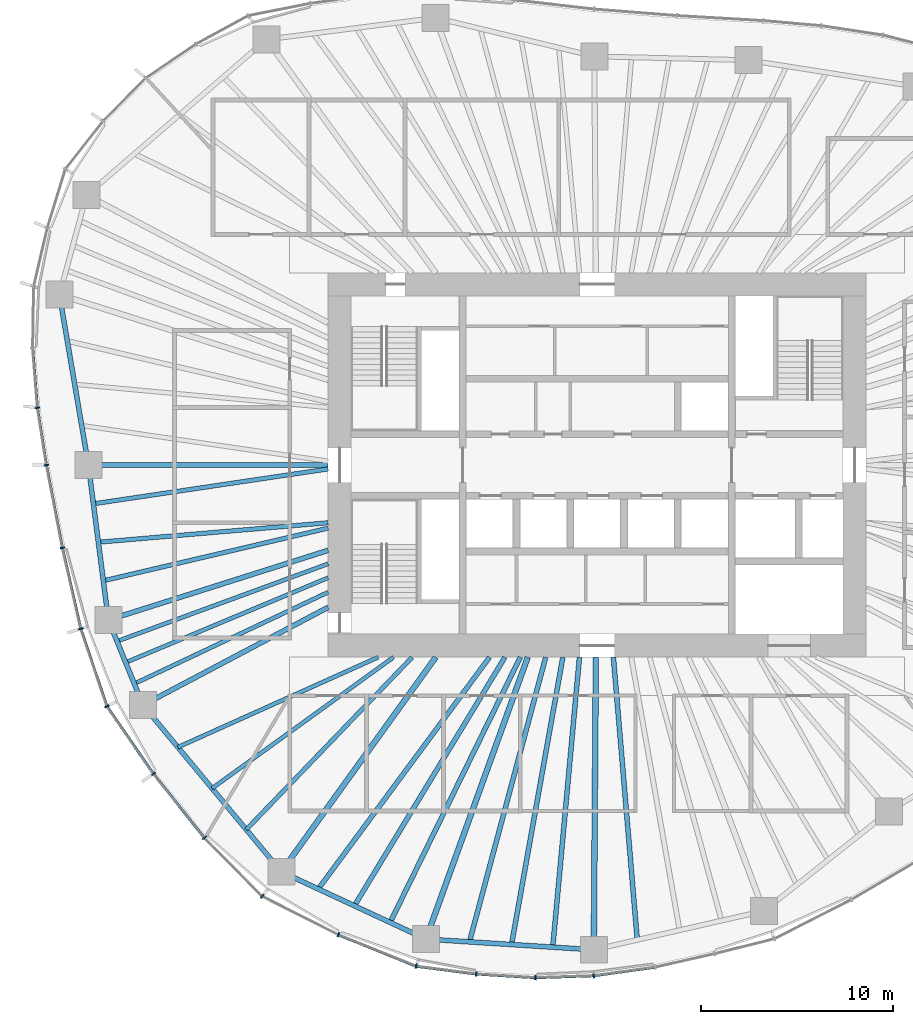
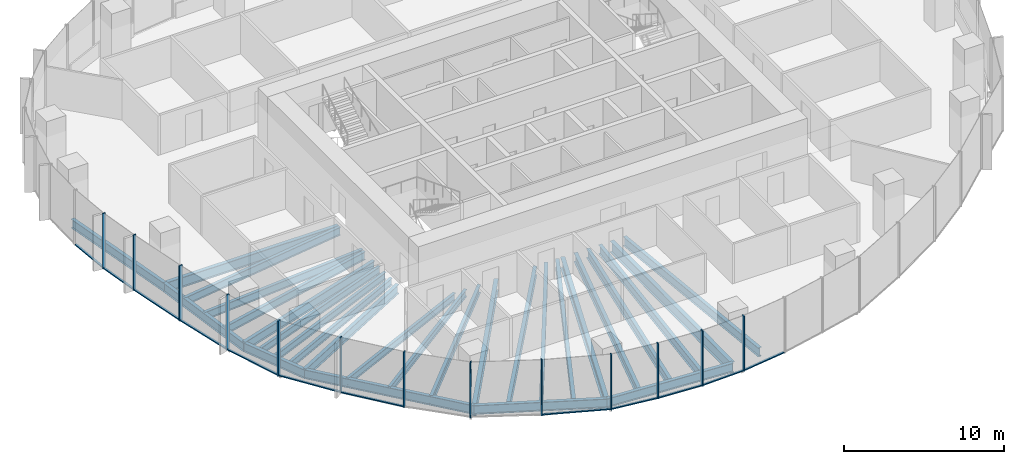
# One storey, part 2 of 18: 28 beams, 25 members, 7 elements without a shape of their own.
"""IFC4 building model written with IfcOpenShell, lengths in metres."""

from ifc_helpers import new_model, si_unit, direction, frame, origin, origin_2d, place, context, subcontext, project, spatial, rectangle, i_section, extrude, material, material_profile, profile_set, type_object, element, aggregate, save


model = new_model("IFC4")

# Units and contexts
model_context = context("Model", 3, precision=1e-05, world=origin(), true_north=direction((0.0, 1.0)))
body_context = subcontext(model_context, "Body", "Model", "MODEL_VIEW")
ifc_project = project(units=[si_unit("LENGTHUNIT", "METRE"), si_unit("AREAUNIT", "SQUARE_METRE"), si_unit("VOLUMEUNIT", "CUBIC_METRE"), si_unit("PLANEANGLEUNIT", "RADIAN"), si_unit("MASSUNIT", "GRAM", prefix="KILO")], contexts=[model_context])

# Site, building, storey
site_placement = place(None, origin())
site = spatial("IfcSite", under=ifc_project, at=site_placement, CompositionType="ELEMENT")
building_placement = place(site_placement, origin())
building = spatial("IfcBuilding", under=site, at=building_placement, Name="Ghaith Harvest Tower", CompositionType="ELEMENT")
storey_placement = place(building_placement, frame((0.0, 0.0, 176.39990234375)))
storey = spatial("IfcBuildingStorey", under=building, at=storey_placement, Name="L38", CompositionType="ELEMENT", Elevation=176.39990234375)

# Curtain wall, member
ifc_material_1 = material(Name="Black anodised aluminium and fritted glass", Category="aluminium")
curtain_wall_type = type_object("IfcCurtainWallType", Name="CW-L CURTAIN WALL", PredefinedType="NOTDEFINED", material=ifc_material_1)
curtain_wall_1_placement = place(storey_placement, origin())
curtain_wall_1 = element("IfcCurtainWall", 1, at=curtain_wall_1_placement, inside=storey, type_object=curtain_wall_type, Name="Curtain wall CW-L bay 10 L38", PredefinedType="NOTDEFINED")
ifc_material_2 = material(Name="Aluminium, black anodised", Category="aluminium")
ifc_material_profile_1 = material_profile(ifc_material_2, rectangle(XDim=0.080078125, YDim=0.239990234375, at=origin_2d()), Name="CW-L MULLION 80x240")
ifc_profile_set_1 = profile_set([ifc_material_profile_1], Name="Aluminium, black anodised")
member_type_1 = type_object("IfcMemberType", Name="CW-L MULLION 80x240", PredefinedType="MULLION", material=ifc_profile_set_1)
member_1_placement = place(storey_placement, frame((-29.131103515625, 2.990478515625, 0.0), z_axis=(0.0, 0.0, 1.0), x_axis=(0.116763791346, -0.993159713757, 0.0)))
member_1 = element("IfcMember", 2, at=member_1_placement, type_object=member_type_1, Name="CW-L mullion 3 bay 10 L38", PredefinedType="MULLION", context=body_context, shape_type="SweptSolid", body=[
    extrude(rectangle(XDim=0.080078125, YDim=0.239990234375, at=origin_2d()), origin(), (0.0, 0.0, 1.0), 4.2001953125),
])

# Curtain wall, members
curtain_wall_2_placement = place(storey_placement, origin())
curtain_wall_2 = element("IfcCurtainWall", 3, at=curtain_wall_2_placement, inside=storey, type_object=curtain_wall_type, Name="Curtain wall CW-L bay 11 L38", PredefinedType="NOTDEFINED")
member_2_placement = place(storey_placement, frame((-28.6611328125, 0.0, 0.0), z_axis=(0.0, 0.0, 1.0), x_axis=(0.175827209372, -0.984421044292, 0.0)))
member_2 = element("IfcMember", 4, at=member_2_placement, type_object=member_type_1, Name="CW-L mullion 1 bay 11 L38", PredefinedType="MULLION", context=body_context, shape_type="SweptSolid", body=[
    extrude(rectangle(XDim=0.080078125, YDim=0.239990234375, at=origin_2d()), origin(), (0.0, 0.0, 1.0), 4.2001953125),
])
member_3_placement = place(storey_placement, frame((-27.828125, -4.30419921875, 0.0), z_axis=(0.0, 0.0, 1.0), x_axis=(0.205176300018, -0.978725030798, 0.0)))
member_3 = element("IfcMember", 5, at=member_3_placement, type_object=member_type_1, Name="CW-L mullion 2 bay 11 L38", PredefinedType="MULLION", context=body_context, shape_type="SweptSolid", body=[
    extrude(rectangle(XDim=0.080078125, YDim=0.239990234375, at=origin_2d()), origin(), (0.0, 0.0, 1.0), 4.2001953125),
])

curtain_wall_3_placement = place(storey_placement, origin())
curtain_wall_3 = element("IfcCurtainWall", 6, at=curtain_wall_3_placement, inside=storey, type_object=curtain_wall_type, Name="Curtain wall CW-L bay 12 L38", PredefinedType="NOTDEFINED")
member_4_placement = place(storey_placement, frame((-26.875732421875, -8.517333984375, 0.0), z_axis=(0.0, 0.0, 1.0), x_axis=(0.270018818005, -0.962855045125, 0.0)))
member_4 = element("IfcMember", 7, at=member_4_placement, type_object=member_type_1, Name="CW-L mullion 1 bay 12 L38", PredefinedType="MULLION", context=body_context, shape_type="SweptSolid", body=[
    extrude(rectangle(XDim=0.080078125, YDim=0.239990234375, at=origin_2d()), origin(), (0.0, 0.0, 1.0), 4.2001953125),
])
member_5_placement = place(storey_placement, frame((-25.513427734375, -12.55810546875, 0.0), z_axis=(0.0, 0.0, 1.0), x_axis=(0.448267068681, -0.893899678452, 0.0)))
member_5 = element("IfcMember", 8, at=member_5_placement, type_object=member_type_1, Name="CW-L mullion 2 bay 12 L38", PredefinedType="MULLION", context=body_context, shape_type="SweptSolid", body=[
    extrude(rectangle(XDim=0.080078125, YDim=0.239990234375, at=origin_2d()), origin(), (0.0, 0.0, 1.0), 4.2001953125),
])

curtain_wall_4_placement = place(storey_placement, origin())
curtain_wall_4 = element("IfcCurtainWall", 9, at=curtain_wall_4_placement, inside=storey, type_object=curtain_wall_type, Name="Curtain wall CW-L bay 13 L38", PredefinedType="NOTDEFINED")
member_6_placement = place(storey_placement, frame((-23.090087890625, -16.066162109375, 0.0), z_axis=(0.0, 0.0, 1.0), x_axis=(0.595740202191, -0.803177198066, 0.0)))
member_6 = element("IfcMember", 10, at=member_6_placement, type_object=member_type_1, Name="CW-L mullion 1 bay 13 L38", PredefinedType="MULLION", context=body_context, shape_type="SweptSolid", body=[
    extrude(rectangle(XDim=0.080078125, YDim=0.239990234375, at=origin_2d()), origin(), (0.0, 0.0, 1.0), 4.2001953125),
])
member_7_placement = place(storey_placement, frame((-20.441162109375, -19.396728515625, 0.0), z_axis=(0.0, 0.0, 1.0), x_axis=(0.663764675537, -0.747941478666, 0.0)))
member_7 = element("IfcMember", 11, at=member_7_placement, type_object=member_type_1, Name="CW-L mullion 2 bay 13 L38", PredefinedType="MULLION", context=body_context, shape_type="SweptSolid", body=[
    extrude(rectangle(XDim=0.080078125, YDim=0.239990234375, at=origin_2d()), origin(), (0.0, 0.0, 1.0), 4.2001953125),
])

curtain_wall_5_placement = place(storey_placement, origin())
curtain_wall_5 = element("IfcCurtainWall", 12, at=curtain_wall_5_placement, inside=storey, type_object=curtain_wall_type, Name="Curtain wall CW-L bay 14 L38", PredefinedType="NOTDEFINED")
member_8_placement = place(storey_placement, frame((-17.430419921875, -22.443603515625, 0.0), z_axis=(0.0, 0.0, 1.0), x_axis=(0.810339399222, -0.585960799089, 0.0)))
member_8 = element("IfcMember", 13, at=member_8_placement, type_object=member_type_1, Name="CW-L mullion 1 bay 14 L38", PredefinedType="MULLION", context=body_context, shape_type="SweptSolid", body=[
    extrude(rectangle(XDim=0.080078125, YDim=0.239990234375, at=origin_2d()), origin(), (0.0, 0.0, 1.0), 4.2001953125),
])
member_9_placement = place(storey_placement, frame((-13.463134765625, -24.4423828125, 0.0), z_axis=(0.0, 0.0, 1.0), x_axis=(0.910648017946, -0.413182995066, 0.0)))
member_9 = element("IfcMember", 14, at=member_9_placement, type_object=member_type_1, Name="CW-L mullion 2 bay 14 L38", PredefinedType="MULLION", context=body_context, shape_type="SweptSolid", body=[
    extrude(rectangle(XDim=0.080078125, YDim=0.239990234375, at=origin_2d()), origin(), (0.0, 0.0, 1.0), 4.2001953125),
])

curtain_wall_6_placement = place(storey_placement, origin())
curtain_wall_6 = element("IfcCurtainWall", 15, at=curtain_wall_6_placement, inside=storey, type_object=curtain_wall_type, Name="Curtain wall CW-L bay 15 L38", PredefinedType="NOTDEFINED")
member_10_placement = place(storey_placement, frame((-9.4189453125, -26.07861328125, 0.0), z_axis=(0.0, 0.0, 1.0), x_axis=(0.961788606004, -0.273793128768, 0.0)))
member_10 = element("IfcMember", 16, at=member_10_placement, type_object=member_type_1, Name="CW-L mullion 1 bay 15 L38", PredefinedType="MULLION", context=body_context, shape_type="SweptSolid", body=[
    extrude(rectangle(XDim=0.080078125, YDim=0.239990234375, at=origin_2d()), origin(), (0.0, 0.0, 1.0), 4.2001953125),
])
member_11_placement = place(storey_placement, frame((-6.29443359375, -26.483154296875, 0.0), z_axis=(0.0, 0.0, 1.0), x_axis=(0.995389243171, -0.095917957546, 0.0)))
member_11 = element("IfcMember", 17, at=member_11_placement, type_object=member_type_1, Name="CW-L mullion 2 bay 15 L38", PredefinedType="MULLION", context=body_context, shape_type="SweptSolid", body=[
    extrude(rectangle(XDim=0.080078125, YDim=0.239990234375, at=origin_2d()), origin(), (0.0, 0.0, 1.0), 4.2001953125),
])
member_12_placement = place(storey_placement, frame((-3.21923828125, -26.676025390625, 0.0), z_axis=(0.0, 0.0, 1.0), x_axis=(0.999890531495, -0.014796115241, 0.0)))
member_12 = element("IfcMember", 18, at=member_12_placement, type_object=member_type_1, Name="CW-L mullion 3 bay 15 L38", PredefinedType="MULLION", context=body_context, shape_type="SweptSolid", body=[
    extrude(rectangle(XDim=0.080078125, YDim=0.239990234375, at=origin_2d()), origin(), (0.0, 0.0, 1.0), 4.2001953125),
])

# Curtain wall, member
curtain_wall_7_placement = place(storey_placement, origin())
curtain_wall_7 = element("IfcCurtainWall", 19, at=curtain_wall_7_placement, inside=storey, type_object=curtain_wall_type, Name="Curtain wall CW-L bay 16 L38", PredefinedType="NOTDEFINED")
member_13_placement = place(storey_placement, frame((-0.181884765625, -26.57373046875, 0.0), z_axis=(0.0, 0.0, 1.0), x_axis=(0.996169227662, 0.087446382772, 0.0)))
member_13 = element("IfcMember", 20, at=member_13_placement, type_object=member_type_1, Name="CW-L mullion 1 bay 16 L38", PredefinedType="MULLION", context=body_context, shape_type="SweptSolid", body=[
    extrude(rectangle(XDim=0.080078125, YDim=0.239990234375, at=origin_2d()), origin(), (0.0, 0.0, 1.0), 4.2001953125),
])

# Member
ifc_material_3 = material(Name="Aluminium, black anodised", Category="aluminium")
ifc_material_profile_2 = material_profile(ifc_material_3, rectangle(XDim=0.14990234375, YDim=0.080078125, at=origin_2d()), Name="CW-L TRANSOM 150x80")
ifc_profile_set_2 = profile_set([ifc_material_profile_2], Name="Aluminium, black anodised")
member_type_2 = type_object("IfcMemberType", Name="CW-L TRANSOM 150x80", PredefinedType="USERDEFINED", material=ifc_profile_set_2)
member_14_placement = place(storey_placement, frame((-29.374755859375, 6.05615234375, 0.0400390625), z_axis=(0.079230491279, -0.996856323274, 0.0), x_axis=(0.996856323274, 0.079230491279, 0.0)))
member_14 = element("IfcMember", 21, at=member_14_placement, type_object=member_type_2, Name="CW-L transom 2 bay 10 L38", ObjectType="TRANSOM", PredefinedType="USERDEFINED", context=body_context, shape_type="SweptSolid", body=[
    extrude(rectangle(XDim=0.14990234375, YDim=0.080078125, at=origin_2d()), origin(), (0.0, 0.0, 1.0), 3.03515625),
])

member_15_placement = place(storey_placement, frame((-29.124755859375, 2.951171875, 0.0400390625), z_axis=(0.155150065502, -0.987890913601, 0.0), x_axis=(0.987890913601, 0.155150065502, 0.0)))
member_15 = element("IfcMember", 22, at=member_15_placement, type_object=member_type_2, Name="CW-L transom 3 bay 10 L38", ObjectType="TRANSOM", PredefinedType="USERDEFINED", context=body_context, shape_type="SweptSolid", body=[
    extrude(rectangle(XDim=0.14990234375, YDim=0.080078125, at=origin_2d()), origin(), (0.0, 0.0, 1.0), 2.947265625),
])

aggregate(curtain_wall_1, [member_14, member_1, member_15])

member_16_placement = place(storey_placement, frame((-28.653564453125, -0.039306640625, 0.0400390625), z_axis=(0.190025434036, -0.981779167848, 0.0), x_axis=(0.981779167848, 0.190025434036, 0.0)))
member_16 = element("IfcMember", 23, at=member_16_placement, type_object=member_type_2, Name="CW-L transom 1 bay 11 L38", ObjectType="TRANSOM", PredefinedType="USERDEFINED", context=body_context, shape_type="SweptSolid", body=[
    extrude(rectangle(XDim=0.14990234375, YDim=0.080078125, at=origin_2d()), origin(), (0.0, 0.0, 1.0), 4.303955078125),
])

member_17_placement = place(storey_placement, frame((-27.8193359375, -4.34326171875, 0.0400390625), z_axis=(0.220508326041, -0.975385092231, 0.0), x_axis=(0.975385092231, 0.220508326041, 0.0)))
member_17 = element("IfcMember", 24, at=member_17_placement, type_object=member_type_2, Name="CW-L transom 2 bay 11 L38", ObjectType="TRANSOM", PredefinedType="USERDEFINED", context=body_context, shape_type="SweptSolid", body=[
    extrude(rectangle(XDim=0.14990234375, YDim=0.080078125, at=origin_2d()), origin(), (0.0, 0.0, 1.0), 4.2392578125),
])

aggregate(curtain_wall_2, [member_2, member_16, member_3, member_17])

member_18_placement = place(storey_placement, frame((-26.863037109375, -8.55517578125, 0.0400390625), z_axis=(0.319499057133, -0.947586593664, 0.0), x_axis=(0.947586593664, 0.319499057133, 0.0)))
member_18 = element("IfcMember", 25, at=member_18_placement, type_object=member_type_2, Name="CW-L transom 1 bay 12 L38", ObjectType="TRANSOM", PredefinedType="USERDEFINED", context=body_context, shape_type="SweptSolid", body=[
    extrude(rectangle(XDim=0.14990234375, YDim=0.080078125, at=origin_2d()), origin(), (0.0, 0.0, 1.0), 4.184326171875),
])

member_19_placement = place(storey_placement, frame((-25.49072265625, -12.591064453125, 0.0400390625), z_axis=(0.568360052499, -0.822779952796, 0.0), x_axis=(0.822779952796, 0.568360052499, 0.0)))
member_19 = element("IfcMember", 26, at=member_19_placement, type_object=member_type_2, Name="CW-L transom 2 bay 12 L38", ObjectType="TRANSOM", PredefinedType="USERDEFINED", context=body_context, shape_type="SweptSolid", body=[
    extrude(rectangle(XDim=0.14990234375, YDim=0.080078125, at=origin_2d()), origin(), (0.0, 0.0, 1.0), 4.183837890625),
])

aggregate(curtain_wall_3, [member_4, member_18, member_5, member_19])

member_20_placement = place(storey_placement, frame((-23.065185546875, -16.09765625, 0.0400390625), z_axis=(0.622510542814, -0.782611413209, 0.0), x_axis=(0.782611413209, 0.622510542814, 0.0)))
member_20 = element("IfcMember", 27, at=member_20_placement, type_object=member_type_2, Name="CW-L transom 1 bay 13 L38", ObjectType="TRANSOM", PredefinedType="USERDEFINED", context=body_context, shape_type="SweptSolid", body=[
    extrude(rectangle(XDim=0.14990234375, YDim=0.080078125, at=origin_2d()), origin(), (0.0, 0.0, 1.0), 4.17529296875),
])

aggregate(curtain_wall_4, [member_6, member_20, member_7])

member_21_placement = place(storey_placement, frame((-13.426025390625, -24.45751953125, 0.0400390625), z_axis=(0.92700297754, -0.375053968959, 0.0), x_axis=(0.375053968959, 0.92700297754, 0.0)))
member_21 = element("IfcMember", 28, at=member_21_placement, type_object=member_type_2, Name="CW-L transom 2 bay 14 L38", ObjectType="TRANSOM", PredefinedType="USERDEFINED", context=body_context, shape_type="SweptSolid", body=[
    extrude(rectangle(XDim=0.14990234375, YDim=0.080078125, at=origin_2d()), origin(), (0.0, 0.0, 1.0), 4.282470703125),
])

aggregate(curtain_wall_5, [member_8, member_9, member_21])

member_22_placement = place(storey_placement, frame((-9.37939453125, -26.083740234375, 0.0400390625), z_axis=(0.991722765635, -0.128397648429, 0.0), x_axis=(0.128397648429, 0.991722765635, 0.0)))
member_22 = element("IfcMember", 29, at=member_22_placement, type_object=member_type_2, Name="CW-L transom 1 bay 15 L38", ObjectType="TRANSOM", PredefinedType="USERDEFINED", context=body_context, shape_type="SweptSolid", body=[
    extrude(rectangle(XDim=0.14990234375, YDim=0.080078125, at=origin_2d()), origin(), (0.0, 0.0, 1.0), 3.07080078125),
])

member_23_placement = place(storey_placement, frame((-6.25439453125, -26.485595703125, 0.0400390625), z_axis=(0.998036402434, -0.062636566132, 0.0), x_axis=(0.062636566132, 0.998036402434, 0.0)))
member_23 = element("IfcMember", 30, at=member_23_placement, type_object=member_type_2, Name="CW-L transom 2 bay 15 L38", ObjectType="TRANSOM", PredefinedType="USERDEFINED", context=body_context, shape_type="SweptSolid", body=[
    extrude(rectangle(XDim=0.14990234375, YDim=0.080078125, at=origin_2d()), origin(), (0.0, 0.0, 1.0), 3.001220703125),
])

member_24_placement = place(storey_placement, frame((-3.17919921875, -26.6748046875, 0.0400390625), z_axis=(0.999430436664, 0.033746144522, 0.0), x_axis=(-0.033746144522, 0.999430436664, 0.0)))
member_24 = element("IfcMember", 31, at=member_24_placement, type_object=member_type_2, Name="CW-L transom 3 bay 15 L38", ObjectType="TRANSOM", PredefinedType="USERDEFINED", context=body_context, shape_type="SweptSolid", body=[
    extrude(rectangle(XDim=0.14990234375, YDim=0.080078125, at=origin_2d()), origin(), (0.0, 0.0, 1.0), 2.958984375),
])

aggregate(curtain_wall_6, [member_10, member_22, member_11, member_23, member_12, member_24])

member_25_placement = place(storey_placement, frame((-0.142333984375, -26.568115234375, 0.0400390625), z_axis=(0.990446640965, 0.137896524254, 0.0), x_axis=(-0.137896524254, 0.990446640965, 0.0)))
member_25 = element("IfcMember", 32, at=member_25_placement, type_object=member_type_2, Name="CW-L transom 1 bay 16 L38", ObjectType="TRANSOM", PredefinedType="USERDEFINED", context=body_context, shape_type="SweptSolid", body=[
    extrude(rectangle(XDim=0.14990234375, YDim=0.080078125, at=origin_2d()), origin(), (0.0, 0.0, 1.0), 3.142578125),
])

aggregate(curtain_wall_7, [member_13, member_25])

# Beams
ifc_material_4 = material(Name="Steel ASTM A992 Grade 50", Category="steel")
ifc_material_profile_3 = material_profile(ifc_material_4, i_section(OverallWidth=0.25390625, OverallDepth=0.68408203125, WebThickness=0.012451171875, FlangeThickness=0.018798828125, at=origin_2d()), Name="W690X140")
ifc_profile_set_3 = profile_set([ifc_material_profile_3], Name="Steel ASTM A992 Grade 50")
beam_type_1 = type_object("IfcBeamType", Name="E690-140 W690X140", PredefinedType="SPANDREL", material=ifc_profile_set_3)
beam_1_placement = place(storey_placement, frame((-27.98291015625, 8.867919921875, -0.511962890625), z_axis=(0.167624246844, -0.985850958244, 0.0), x_axis=(0.985850958244, 0.167624246844, 0.0)))
element("IfcBeam", 33, at=beam_1_placement, inside=storey, type_object=beam_type_1, Name="Edge beam E10 L38", PredefinedType="SPANDREL", context=body_context, shape_type="SweptSolid", body=[
    extrude(i_section(OverallWidth=0.25390625, OverallDepth=0.68408203125, WebThickness=0.012451171875, FlangeThickness=0.018798828125, at=origin_2d()), origin(), (0.0, 0.0, 1.0), 8.9951171875),
])
beam_2_placement = place(storey_placement, frame((-26.47509765625, 0.0, -0.511962890625), z_axis=(0.127841715048, -0.991794583517, 0.0), x_axis=(0.991794583517, 0.127841715048, 0.0)))
element("IfcBeam", 34, at=beam_2_placement, inside=storey, type_object=beam_type_1, Name="Edge beam E11 L38", PredefinedType="SPANDREL", context=body_context, shape_type="SweptSolid", body=[
    extrude(i_section(OverallWidth=0.25390625, OverallDepth=0.68408203125, WebThickness=0.012451171875, FlangeThickness=0.018798828125, at=origin_2d()), origin(), (0.0, 0.0, 1.0), 8.127685546875),
])
beam_3_placement = place(storey_placement, frame((-25.43603515625, -8.06103515625, -0.511962890625), z_axis=(0.376479712052, -0.9264248628, 0.0), x_axis=(0.9264248628, 0.376479712052, 0.0)))
element("IfcBeam", 35, at=beam_3_placement, inside=storey, type_object=beam_type_1, Name="Edge beam E12 L38", PredefinedType="SPANDREL", context=body_context, shape_type="SweptSolid", body=[
    extrude(i_section(OverallWidth=0.25390625, OverallDepth=0.68408203125, WebThickness=0.012451171875, FlangeThickness=0.018798828125, at=origin_2d()), origin(), (0.0, 0.0, 1.0), 4.783935546875),
])
beam_4_placement = place(storey_placement, frame((-23.635009765625, -12.492919921875, -0.511962890625), z_axis=(0.638719320052, -0.769439815835, 0.0), x_axis=(0.769439815835, 0.638719320052, 0.0)))
element("IfcBeam", 36, at=beam_4_placement, inside=storey, type_object=beam_type_1, Name="Edge beam E13 L38", PredefinedType="SPANDREL", context=body_context, shape_type="SweptSolid", body=[
    extrude(i_section(OverallWidth=0.25390625, OverallDepth=0.68408203125, WebThickness=0.012451171875, FlangeThickness=0.018798828125, at=origin_2d()), origin(), (0.0, 0.0, 1.0), 11.26953125),
])
beam_5_placement = place(storey_placement, frame((-16.43701171875, -21.1640625, -0.511962890625), z_axis=(0.906607079462, -0.421975832802, 0.0), x_axis=(0.421975832802, 0.906607079462, 0.0)))
element("IfcBeam", 37, at=beam_5_placement, inside=storey, type_object=beam_type_1, Name="Edge beam E14 L38", PredefinedType="SPANDREL", context=body_context, shape_type="SweptSolid", body=[
    extrude(i_section(OverallWidth=0.25390625, OverallDepth=0.68408203125, WebThickness=0.012451171875, FlangeThickness=0.018798828125, at=origin_2d()), origin(), (0.0, 0.0, 1.0), 8.303466796875),
])
beam_6_placement = place(storey_placement, frame((-8.908935546875, -24.66796875, -0.511962890625), z_axis=(0.99797963184, -0.063534671101, 0.0), x_axis=(0.063534671101, 0.99797963184, 0.0)))
element("IfcBeam", 38, at=beam_6_placement, inside=storey, type_object=beam_type_1, Name="Edge beam E15 L38", PredefinedType="SPANDREL", context=body_context, shape_type="SweptSolid", body=[
    extrude(i_section(OverallWidth=0.25390625, OverallDepth=0.68408203125, WebThickness=0.012451171875, FlangeThickness=0.018798828125, at=origin_2d()), origin(), (0.0, 0.0, 1.0), 8.75341796875),
])
ifc_material_5 = material(Name="Steel ASTM A992 Grade 50", Category="steel")
ifc_material_profile_4 = material_profile(ifc_material_5, i_section(OverallWidth=0.256103515625, OverallDepth=0.693115234375, WebThickness=0.014404296875, FlangeThickness=0.023681640625, at=origin_2d()), Name="W690X170")
ifc_profile_set_4 = profile_set([ifc_material_profile_4], Name="Steel ASTM A992 Grade 50")
beam_type_2 = type_object("IfcBeamType", Name="G690-170 W690X170", PredefinedType="BEAM", material=ifc_profile_set_4)
beam_7_placement = place(storey_placement, frame((-14.0, -4.43701171875, -0.516357421875), z_axis=(-0.953279533519, -0.302089607522, 0.0), x_axis=(0.302089607522, -0.953279533519, 0.0)))
element("IfcBeam", 39, at=beam_7_placement, inside=storey, type_object=beam_type_2, Name="Radial girder G12 L38", PredefinedType="BEAM", context=body_context, shape_type="SweptSolid", body=[
    extrude(i_section(OverallWidth=0.256103515625, OverallDepth=0.693115234375, WebThickness=0.014404296875, FlangeThickness=0.023681640625, at=origin_2d()), origin(), (0.0, 0.0, 1.0), 11.99658203125),
])
beam_8_placement = place(storey_placement, frame((-14.0, -7.39990234375, -0.516357421875), z_axis=(-0.884086346066, -0.467323584576, 0.0), x_axis=(0.467323584576, -0.884086346066, 0.0)))
element("IfcBeam", 40, at=beam_8_placement, inside=storey, type_object=beam_type_2, Name="Radial girder G13 L38", PredefinedType="BEAM", context=body_context, shape_type="SweptSolid", body=[
    extrude(i_section(OverallWidth=0.256103515625, OverallDepth=0.693115234375, WebThickness=0.014404296875, FlangeThickness=0.023681640625, at=origin_2d()), origin(), (0.0, 0.0, 1.0), 10.898193359375),
])
ifc_material_6 = material(Name="Steel ASTM A992 Grade 50", Category="steel")
ifc_material_profile_5 = material_profile(ifc_material_6, i_section(OverallWidth=0.26806640625, OverallDepth=0.77001953125, WebThickness=0.015625, FlangeThickness=0.025390625, at=origin_2d()), Name="W760X196")
ifc_profile_set_5 = profile_set([ifc_material_profile_5], Name="Steel ASTM A992 Grade 50")
beam_type_3 = type_object("IfcBeamType", Name="G760-196 W760X196", PredefinedType="BEAM", material=ifc_profile_set_5)
beam_9_placement = place(storey_placement, frame((-14.0, 0.0, -0.554931640625), z_axis=(-1.0, 0.0, 0.0), x_axis=(0.0, -1.0, 0.0)))
element("IfcBeam", 41, at=beam_9_placement, inside=storey, type_object=beam_type_3, Name="Radial girder G11 L38", PredefinedType="BEAM", context=body_context, shape_type="SweptSolid", body=[
    extrude(i_section(OverallWidth=0.26806640625, OverallDepth=0.77001953125, WebThickness=0.015625, FlangeThickness=0.025390625, at=origin_2d()), origin(), (0.0, 0.0, 1.0), 12.47509765625),
])
ifc_material_7 = material(Name="Steel ASTM A992 Grade 50", Category="steel")
ifc_material_profile_6 = material_profile(ifc_material_7, i_section(OverallWidth=0.2939453125, OverallDepth=0.85107421875, WebThickness=0.01611328125, FlangeThickness=0.02685546875, at=origin_2d()), Name="W840X226")
ifc_profile_set_6 = profile_set([ifc_material_profile_6], Name="Steel ASTM A992 Grade 50")
beam_type_4 = type_object("IfcBeamType", Name="G840-226 W840X226", PredefinedType="BEAM", material=ifc_profile_set_6)
beam_10_placement = place(storey_placement, frame((-8.39990234375, -10.0, -0.595458984375), z_axis=(-0.584256100809, -0.811569349265, 0.0), x_axis=(0.811569349265, -0.584256100809, 0.0)))
element("IfcBeam", 42, at=beam_10_placement, inside=storey, type_object=beam_type_4, Name="Radial girder G14 L38", PredefinedType="BEAM", context=body_context, shape_type="SweptSolid", body=[
    extrude(i_section(OverallWidth=0.2939453125, OverallDepth=0.85107421875, WebThickness=0.01611328125, FlangeThickness=0.02685546875, at=origin_2d()), origin(), (0.0, 0.0, 1.0), 13.756103515625),
])
beam_11_placement = place(storey_placement, frame((-3.61181640625, -10.0, -0.595458984375), z_axis=(-0.339664467784, -0.940546675782, 0.0), x_axis=(0.940546675782, -0.339664467784, 0.0)))
element("IfcBeam", 43, at=beam_11_placement, inside=storey, type_object=beam_type_4, Name="Radial girder G15 L38", PredefinedType="BEAM", context=body_context, shape_type="SweptSolid", body=[
    extrude(i_section(OverallWidth=0.2939453125, OverallDepth=0.85107421875, WebThickness=0.01611328125, FlangeThickness=0.02685546875, at=origin_2d()), origin(), (0.0, 0.0, 1.0), 15.59521484375),
])
beam_12_placement = place(storey_placement, frame((-0.068359375, -10.0, -0.595458984375), z_axis=(-0.006879467722, -0.999976336182, 0.0), x_axis=(0.999976336182, -0.006879467722, 0.0)))
element("IfcBeam", 44, at=beam_12_placement, inside=storey, type_object=beam_type_4, Name="Radial girder G16 L38", PredefinedType="BEAM", context=body_context, shape_type="SweptSolid", body=[
    extrude(i_section(OverallWidth=0.2939453125, OverallDepth=0.85107421875, WebThickness=0.01611328125, FlangeThickness=0.02685546875, at=origin_2d()), origin(), (0.0, 0.0, 1.0), 15.224365234375),
])
ifc_material_8 = material(Name="Steel ASTM A992 Grade 50", Category="steel")
ifc_material_profile_7 = material_profile(ifc_material_8, i_section(OverallWidth=0.2109375, OverallDepth=0.5390625, WebThickness=0.01171875, FlangeThickness=0.018798828125, at=origin_2d()), Name="W530X109")
ifc_profile_set_7 = profile_set([ifc_material_profile_7], Name="Steel ASTM A992 Grade 50")
beam_type_5 = type_object("IfcBeamType", Name="J530-109 W530X109", PredefinedType="JOIST", material=ifc_profile_set_7)
beam_13_placement = place(storey_placement, frame((-14.0, -5.137939453125, -0.439453125), z_axis=(-0.938774452531, -0.344532331247, 0.0), x_axis=(0.344532331247, -0.938774452531, 0.0)))
element("IfcBeam", 45, at=beam_13_placement, inside=storey, type_object=beam_type_5, Name="Joist J12.1 L38", PredefinedType="JOIST", context=body_context, shape_type="SweptSolid", body=[
    extrude(i_section(OverallWidth=0.2109375, OverallDepth=0.5390625, WebThickness=0.01171875, FlangeThickness=0.018798828125, at=origin_2d()), origin(), (0.0, 0.0, 1.0), 11.7021484375),
])
beam_14_placement = place(storey_placement, frame((-14.0, -5.862548828125, -0.439453125), z_axis=(-0.922385564947, -0.386270461693, 0.0), x_axis=(0.386270461693, -0.922385564947, 0.0)))
element("IfcBeam", 46, at=beam_14_placement, inside=storey, type_object=beam_type_5, Name="Joist J12.2 L38", PredefinedType="JOIST", context=body_context, shape_type="SweptSolid", body=[
    extrude(i_section(OverallWidth=0.2109375, OverallDepth=0.5390625, WebThickness=0.01171875, FlangeThickness=0.018798828125, at=origin_2d()), origin(), (0.0, 0.0, 1.0), 11.4228515625),
])
beam_15_placement = place(storey_placement, frame((-14.0, -6.614990234375, -0.439453125), z_axis=(-0.904150042111, -0.427215052815, 0.0), x_axis=(0.427215052815, -0.904150042111, 0.0)))
element("IfcBeam", 47, at=beam_15_placement, inside=storey, type_object=beam_type_5, Name="Joist J12.3 L38", PredefinedType="JOIST", context=body_context, shape_type="SweptSolid", body=[
    extrude(i_section(OverallWidth=0.2109375, OverallDepth=0.5390625, WebThickness=0.01171875, FlangeThickness=0.018798828125, at=origin_2d()), origin(), (0.0, 0.0, 1.0), 11.15625),
])
beam_16_placement = place(storey_placement, frame((-11.39990234375, -10.0, -0.439453125), z_axis=(-0.912147734774, -0.409861574127, 0.0), x_axis=(0.409861574127, -0.912147734774, 0.0)))
element("IfcBeam", 48, at=beam_16_placement, inside=storey, type_object=beam_type_5, Name="Joist J13.1 L38", PredefinedType="JOIST", context=body_context, shape_type="SweptSolid", body=[
    extrude(i_section(OverallWidth=0.2109375, OverallDepth=0.5390625, WebThickness=0.01171875, FlangeThickness=0.018798828125, at=origin_2d()), origin(), (0.0, 0.0, 1.0), 11.421875),
])
beam_17_placement = place(storey_placement, frame((-10.60009765625, -10.0, -0.439453125), z_axis=(-0.810452010932, -0.5858050341, 0.0), x_axis=(0.5858050341, -0.810452010932, 0.0)))
element("IfcBeam", 49, at=beam_17_placement, inside=storey, type_object=beam_type_5, Name="Joist J13.2 L38", PredefinedType="JOIST", context=body_context, shape_type="SweptSolid", body=[
    extrude(i_section(OverallWidth=0.2109375, OverallDepth=0.5390625, WebThickness=0.01171875, FlangeThickness=0.018798828125, at=origin_2d()), origin(), (0.0, 0.0, 1.0), 11.64794921875),
])
ifc_material_9 = material(Name="Steel ASTM A992 Grade 50", Category="steel")
ifc_material_profile_8 = material_profile(ifc_material_9, i_section(OverallWidth=0.22900390625, OverallDepth=0.612060546875, WebThickness=0.011962890625, FlangeThickness=0.01953125, at=origin_2d()), Name="W610X125")
ifc_profile_set_8 = profile_set([ifc_material_profile_8], Name="Steel ASTM A992 Grade 50")
beam_type_6 = type_object("IfcBeamType", Name="J610-125 W610X125", PredefinedType="JOIST", material=ifc_profile_set_8)
beam_18_placement = place(storey_placement, frame((-14.0, -0.199951171875, -0.475830078125), z_axis=(-0.989135422742, -0.147007195321, 0.0), x_axis=(0.147007195321, -0.989135422742, 0.0)))
element("IfcBeam", 50, at=beam_18_placement, inside=storey, type_object=beam_type_6, Name="Joist J11.1 L38", PredefinedType="JOIST", context=body_context, shape_type="SweptSolid", body=[
    extrude(i_section(OverallWidth=0.22900390625, OverallDepth=0.612060546875, WebThickness=0.011962890625, FlangeThickness=0.01953125, at=origin_2d()), origin(), (0.0, 0.0, 1.0), 12.349365234375),
])
beam_19_placement = place(storey_placement, frame((-14.0, -3.0, -0.475830078125), z_axis=(-0.996417474722, -0.0845707755, 0.0), x_axis=(0.0845707755, -0.996417474722, 0.0)))
element("IfcBeam", 51, at=beam_19_placement, inside=storey, type_object=beam_type_6, Name="Joist J11.2 L38", PredefinedType="JOIST", context=body_context, shape_type="SweptSolid", body=[
    extrude(i_section(OverallWidth=0.22900390625, OverallDepth=0.612060546875, WebThickness=0.011962890625, FlangeThickness=0.01953125, at=origin_2d()), origin(), (0.0, 0.0, 1.0), 12.00048828125),
])
beam_20_placement = place(storey_placement, frame((-14.0, -3.280517578125, -0.475830078125), z_axis=(-0.973624350862, -0.228157014813, 0.0), x_axis=(0.228157014813, -0.973624350862, 0.0)))
element("IfcBeam", 52, at=beam_20_placement, inside=storey, type_object=beam_type_6, Name="Joist J11.3 L38", PredefinedType="JOIST", context=body_context, shape_type="SweptSolid", body=[
    extrude(i_section(OverallWidth=0.22900390625, OverallDepth=0.612060546875, WebThickness=0.011962890625, FlangeThickness=0.01953125, at=origin_2d()), origin(), (0.0, 0.0, 1.0), 12.015625),
])
beam_21_placement = place(storey_placement, frame((-9.626708984375, -10.0, -0.475830078125), z_axis=(-0.693534641621, -0.720423278963, 0.0), x_axis=(0.720423278963, -0.693534641621, 0.0)))
element("IfcBeam", 53, at=beam_21_placement, inside=storey, type_object=beam_type_6, Name="Joist J13.3 L38", PredefinedType="JOIST", context=body_context, shape_type="SweptSolid", body=[
    extrude(i_section(OverallWidth=0.22900390625, OverallDepth=0.612060546875, WebThickness=0.011962890625, FlangeThickness=0.01953125, at=origin_2d()), origin(), (0.0, 0.0, 1.0), 12.4482421875),
])
ifc_material_10 = material(Name="Steel ASTM A992 Grade 50", Category="steel")
ifc_material_profile_9 = material_profile(ifc_material_10, i_section(OverallWidth=0.25390625, OverallDepth=0.68408203125, WebThickness=0.012451171875, FlangeThickness=0.018798828125, at=origin_2d()), Name="W690X140")
ifc_profile_set_9 = profile_set([ifc_material_profile_9], Name="Steel ASTM A992 Grade 50")
beam_type_7 = type_object("IfcBeamType", Name="J690-140 W690X140", PredefinedType="JOIST", material=ifc_profile_set_9)
beam_22_placement = place(storey_placement, frame((-5.60009765625, -10.0, -0.511962890625), z_axis=(-0.59434024765, -0.804213696739, 0.0), x_axis=(0.804213696739, -0.59434024765, 0.0)))
element("IfcBeam", 54, at=beam_22_placement, inside=storey, type_object=beam_type_7, Name="Joist J14.1 L38", PredefinedType="JOIST", context=body_context, shape_type="SweptSolid", body=[
    extrude(i_section(OverallWidth=0.25390625, OverallDepth=0.68408203125, WebThickness=0.012451171875, FlangeThickness=0.018798828125, at=origin_2d()), origin(), (0.0, 0.0, 1.0), 14.995849609375),
])
beam_23_placement = place(storey_placement, frame((-4.800048828125, -10.0, -0.511962890625), z_axis=(-0.517986442874, -0.855388826791, 0.0), x_axis=(0.855388826791, -0.517986442874, 0.0)))
element("IfcBeam", 55, at=beam_23_placement, inside=storey, type_object=beam_type_7, Name="Joist J14.2 L38", PredefinedType="JOIST", context=body_context, shape_type="SweptSolid", body=[
    extrude(i_section(OverallWidth=0.25390625, OverallDepth=0.68408203125, WebThickness=0.012451171875, FlangeThickness=0.018798828125, at=origin_2d()), origin(), (0.0, 0.0, 1.0), 15.12158203125),
])
beam_24_placement = place(storey_placement, frame((-4.0, -10.0, -0.511962890625), z_axis=(-0.440562898219, -0.897721745706, 0.0), x_axis=(0.897721745706, -0.440562898219, 0.0)))
element("IfcBeam", 56, at=beam_24_placement, inside=storey, type_object=beam_type_7, Name="Joist J14.3 L38", PredefinedType="JOIST", context=body_context, shape_type="SweptSolid", body=[
    extrude(i_section(OverallWidth=0.25390625, OverallDepth=0.68408203125, WebThickness=0.012451171875, FlangeThickness=0.018798828125, at=origin_2d()), origin(), (0.0, 0.0, 1.0), 15.372802734375),
])
beam_25_placement = place(storey_placement, frame((-2.677978515625, -10.0, -0.511962890625), z_axis=(-0.258693109612, -0.965959561803, 0.0), x_axis=(0.965959561803, -0.258693109612, 0.0)))
element("IfcBeam", 57, at=beam_25_placement, inside=storey, type_object=beam_type_7, Name="Joist J15.1 L38", PredefinedType="JOIST", context=body_context, shape_type="SweptSolid", body=[
    extrude(i_section(OverallWidth=0.25390625, OverallDepth=0.68408203125, WebThickness=0.012451171875, FlangeThickness=0.018798828125, at=origin_2d()), origin(), (0.0, 0.0, 1.0), 15.333984375),
])
beam_26_placement = place(storey_placement, frame((-1.785888671875, -10.0, -0.511962890625), z_axis=(-0.175792307544, -0.984427277461, 0.0), x_axis=(0.984427277461, -0.175792307544, 0.0)))
element("IfcBeam", 58, at=beam_26_placement, inside=storey, type_object=beam_type_7, Name="Joist J15.2 L38", PredefinedType="JOIST", context=body_context, shape_type="SweptSolid", body=[
    extrude(i_section(OverallWidth=0.25390625, OverallDepth=0.68408203125, WebThickness=0.012451171875, FlangeThickness=0.018798828125, at=origin_2d()), origin(), (0.0, 0.0, 1.0), 15.18798828125),
])
beam_27_placement = place(storey_placement, frame((-0.92041015625, -10.0, -0.511962890625), z_axis=(-0.091651457116, -0.995791147987, 0.0), x_axis=(0.995791147987, -0.091651457116, 0.0)))
element("IfcBeam", 59, at=beam_27_placement, inside=storey, type_object=beam_type_7, Name="Joist J15.3 L38", PredefinedType="JOIST", context=body_context, shape_type="SweptSolid", body=[
    extrude(i_section(OverallWidth=0.25390625, OverallDepth=0.68408203125, WebThickness=0.012451171875, FlangeThickness=0.018798828125, at=origin_2d()), origin(), (0.0, 0.0, 1.0), 15.151611328125),
])
beam_28_placement = place(storey_placement, frame((0.844970703125, -10.0, -0.511962890625), z_axis=(0.084208979751, -0.996448115924, 0.0), x_axis=(0.996448115924, 0.084208979751, 0.0)))
element("IfcBeam", 60, at=beam_28_placement, inside=storey, type_object=beam_type_7, Name="Joist J16.1 L38", PredefinedType="JOIST", context=body_context, shape_type="SweptSolid", body=[
    extrude(i_section(OverallWidth=0.25390625, OverallDepth=0.68408203125, WebThickness=0.012451171875, FlangeThickness=0.018798828125, at=origin_2d()), origin(), (0.0, 0.0, 1.0), 14.760009765625),
])

save(model, "model.ifc")
